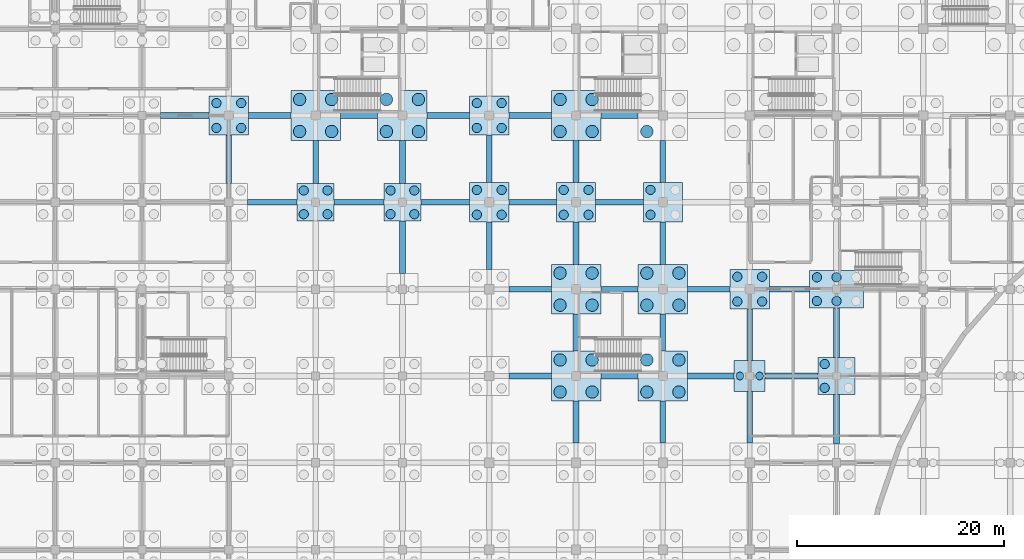
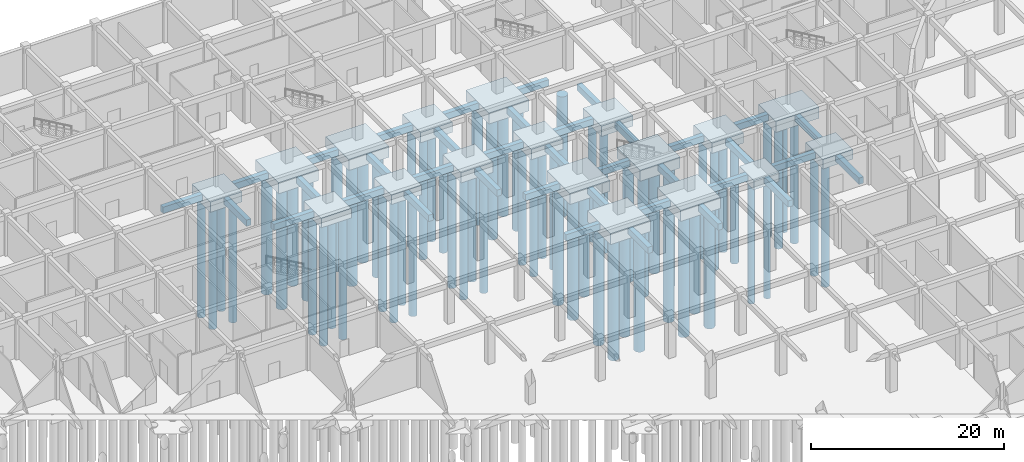
# One storey, part 10 of 65: 67 piles, 55 footings.
"""IFC4 building model written with IfcOpenShell, lengths in metres."""

from ifc_helpers import new_model, si_unit, direction, frame, origin, origin_2d, place, context, subcontext, project, spatial, rectangle, circle, extrude, material, material_profile, profile_set, type_object, element, save


model = new_model("IFC4")

# Units and contexts
model_context = context("Model", 3, precision=1e-05, world=origin(), true_north=direction((0.0, 1.0)))
body_context = subcontext(model_context, "Body", "Model", "MODEL_VIEW")
ifc_project = project(units=[si_unit("LENGTHUNIT", "METRE"), si_unit("AREAUNIT", "SQUARE_METRE"), si_unit("VOLUMEUNIT", "CUBIC_METRE"), si_unit("PLANEANGLEUNIT", "RADIAN"), si_unit("MASSUNIT", "GRAM", prefix="KILO")], contexts=[model_context])

# Site, building, storey
site_placement = place(None, origin())
site = spatial("IfcSite", under=ifc_project, at=site_placement, CompositionType="ELEMENT")
building_placement = place(site_placement, origin())
building = spatial("IfcBuilding", under=site, at=building_placement, Name="Bramfleet General Hospital", CompositionType="ELEMENT")
storey_placement = place(building_placement, frame((0.0, 0.0, -5.39990234375)))
storey = spatial("IfcBuildingStorey", under=building, at=storey_placement, Name="B1", CompositionType="ELEMENT", Elevation=-5.39990234375)

# Footings
ifc_material = material(Name="Concrete C35/45", Category="concrete")
ifc_material_profile_1 = material_profile(ifc_material, rectangle(XDim=0.550048828125, YDim=0.800048828125, at=origin_2d()), Name="RC FB 800x550")
ifc_profile_set_1 = profile_set([ifc_material_profile_1], Name="Concrete C35/45")
footing_type_1 = type_object("IfcFootingType", Name="FTG-FB-01", PredefinedType="FOOTING_BEAM", material=ifc_profile_set_1)
footing_1_placement = place(storey_placement, frame((60.60009765625, 92.39990234375, -0.900146484375), z_axis=(1.0, 0.0, 0.0), x_axis=(0.0, 1.0, 0.0)))
element("IfcFooting", 1, at=footing_1_placement, inside=storey, type_object=footing_type_1, Name="Foundation Tie Beam X 07-11", PredefinedType="FOOTING_BEAM", context=body_context, shape_type="SweptSolid", body=[
    extrude(rectangle(XDim=0.550048828125, YDim=0.800048828125, at=origin_2d()), origin(), (0.0, 0.0, 1.0), 4.699951171875),
])
footing_2_placement = place(storey_placement, frame((69.0, 84.0, -0.900146484375), z_axis=(1.0, 0.0, 0.0), x_axis=(0.0, 1.0, 0.0)))
element("IfcFooting", 2, at=footing_2_placement, inside=storey, type_object=footing_type_1, Name="Foundation Tie Beam X 08-10", PredefinedType="FOOTING_BEAM", context=body_context, shape_type="SweptSolid", body=[
    extrude(rectangle(XDim=0.550048828125, YDim=0.800048828125, at=origin_2d()), origin(), (0.0, 0.0, 1.0), 4.800048828125),
])
footing_3_placement = place(storey_placement, frame((67.199951171875, 85.800048828125, -0.900146484375), z_axis=(0.0, 1.0, 0.0), x_axis=(-1.0, 0.0, 0.0)))
element("IfcFooting", 3, at=footing_3_placement, inside=storey, type_object=footing_type_1, Name="Foundation Tie Beam Y 08-10", PredefinedType="FOOTING_BEAM", context=body_context, shape_type="SweptSolid", body=[
    extrude(rectangle(XDim=0.550048828125, YDim=0.800048828125, at=origin_2d()), origin(), (0.0, 0.0, 1.0), 4.699951171875),
])
footing_4_placement = place(storey_placement, frame((69.10009765625, 92.39990234375, -0.900146484375), z_axis=(1.0, 0.0, 0.0), x_axis=(0.0, 1.0, 0.0)))
element("IfcFooting", 4, at=footing_4_placement, inside=storey, type_object=footing_type_1, Name="Foundation Tie Beam X 08-11", PredefinedType="FOOTING_BEAM", context=body_context, shape_type="SweptSolid", body=[
    extrude(rectangle(XDim=0.550048828125, YDim=0.800048828125, at=origin_2d()), origin(), (0.0, 0.0, 1.0), 4.099853515625),
])
footing_5_placement = place(storey_placement, frame((77.39990234375, 84.0, -0.900146484375), z_axis=(1.0, 0.0, 0.0), x_axis=(0.0, 1.0, 0.0)))
element("IfcFooting", 5, at=footing_5_placement, inside=storey, type_object=footing_type_1, Name="Foundation Tie Beam X 09-10", PredefinedType="FOOTING_BEAM", context=body_context, shape_type="SweptSolid", body=[
    extrude(rectangle(XDim=0.550048828125, YDim=0.800048828125, at=origin_2d()), origin(), (0.0, 0.0, 1.0), 4.800048828125),
])
footing_6_placement = place(storey_placement, frame((75.60009765625, 85.800048828125, -0.900146484375), z_axis=(0.0, 1.0, 0.0), x_axis=(-1.0, 0.0, 0.0)))
element("IfcFooting", 6, at=footing_6_placement, inside=storey, type_object=footing_type_1, Name="Foundation Tie Beam Y 09-10", PredefinedType="FOOTING_BEAM", context=body_context, shape_type="SweptSolid", body=[
    extrude(rectangle(XDim=0.550048828125, YDim=0.800048828125, at=origin_2d()), origin(), (0.0, 0.0, 1.0), 4.199951171875),
])
footing_7_placement = place(storey_placement, frame((78.0, 92.39990234375, -0.900146484375), z_axis=(1.0, 0.0, 0.0), x_axis=(0.0, 1.0, 0.0)))
element("IfcFooting", 7, at=footing_7_placement, inside=storey, type_object=footing_type_1, Name="Foundation Tie Beam X 09-11", PredefinedType="FOOTING_BEAM", context=body_context, shape_type="SweptSolid", body=[
    extrude(rectangle(XDim=0.550048828125, YDim=0.800048828125, at=origin_2d()), origin(), (0.0, 0.0, 1.0), 3.60009765625),
])
footing_8_placement = place(storey_placement, frame((84.0, 77.10009765625, -0.900146484375), z_axis=(0.0, 1.0, 0.0), x_axis=(-1.0, 0.0, 0.0)))
element("IfcFooting", 8, at=footing_8_placement, inside=storey, type_object=footing_type_1, Name="Foundation Tie Beam Y 10-09", PredefinedType="FOOTING_BEAM", context=body_context, shape_type="SweptSolid", body=[
    extrude(rectangle(XDim=0.550048828125, YDim=0.800048828125, at=origin_2d()), origin(), (0.0, 0.0, 1.0), 5.099853515625),
])
footing_9_placement = place(storey_placement, frame((85.800048828125, 84.0, -0.900146484375), z_axis=(1.0, 0.0, 0.0), x_axis=(0.0, 1.0, 0.0)))
element("IfcFooting", 9, at=footing_9_placement, inside=storey, type_object=footing_type_1, Name="Foundation Tie Beam X 10-10", PredefinedType="FOOTING_BEAM", context=body_context, shape_type="SweptSolid", body=[
    extrude(rectangle(XDim=0.550048828125, YDim=0.800048828125, at=origin_2d()), origin(), (0.0, 0.0, 1.0), 4.699951171875),
])
footing_10_placement = place(storey_placement, frame((84.0, 85.800048828125, -0.900146484375), z_axis=(0.0, 1.0, 0.0), x_axis=(-1.0, 0.0, 0.0)))
element("IfcFooting", 10, at=footing_10_placement, inside=storey, type_object=footing_type_1, Name="Foundation Tie Beam Y 10-10", PredefinedType="FOOTING_BEAM", context=body_context, shape_type="SweptSolid", body=[
    extrude(rectangle(XDim=0.550048828125, YDim=0.800048828125, at=origin_2d()), origin(), (0.0, 0.0, 1.0), 4.199951171875),
])
footing_11_placement = place(storey_placement, frame((86.39990234375, 92.39990234375, -0.900146484375), z_axis=(1.0, 0.0, 0.0), x_axis=(0.0, 1.0, 0.0)))
element("IfcFooting", 11, at=footing_11_placement, inside=storey, type_object=footing_type_1, Name="Foundation Tie Beam X 10-11", PredefinedType="FOOTING_BEAM", context=body_context, shape_type="SweptSolid", body=[
    extrude(rectangle(XDim=0.550048828125, YDim=0.800048828125, at=origin_2d()), origin(), (0.0, 0.0, 1.0), 4.10009765625),
])
for number, where, z_axis, x_axis, name in (
    (12, (94.300048828125, 67.199951171875, -0.900146484375), (1.0, 0.0, 0.0), (0.0, 1.0, 0.0), "Foundation Tie Beam X 11-08"),
    (13, (94.300048828125, 75.60009765625, -0.900146484375), (1.0, 0.0, 0.0), (0.0, 1.0, 0.0), "Foundation Tie Beam X 11-09"),
):
    element("IfcFooting", number, at=place(storey_placement, frame(where, z_axis=z_axis, x_axis=x_axis)), inside=storey, type_object=footing_type_1, Name=name, PredefinedType="FOOTING_BEAM", context=body_context, shape_type="SweptSolid", body=[
        extrude(rectangle(XDim=0.550048828125, YDim=0.800048828125, at=origin_2d()), origin(), (0.0, 0.0, 1.0), 4.099853515625),
    ])
footing_12_placement = place(storey_placement, frame((92.39990234375, 77.5, -0.900146484375), z_axis=(0.0, 1.0, 0.0), x_axis=(-1.0, 0.0, 0.0)))
element("IfcFooting", 14, at=footing_12_placement, inside=storey, type_object=footing_type_1, Name="Foundation Tie Beam Y 11-09", PredefinedType="FOOTING_BEAM", context=body_context, shape_type="SweptSolid", body=[
    extrude(rectangle(XDim=0.550048828125, YDim=0.800048828125, at=origin_2d()), origin(), (0.0, 0.0, 1.0), 4.60009765625),
])
footing_13_placement = place(storey_placement, frame((94.300048828125, 84.0, -0.900146484375), z_axis=(1.0, 0.0, 0.0), x_axis=(0.0, 1.0, 0.0)))
element("IfcFooting", 15, at=footing_13_placement, inside=storey, type_object=footing_type_1, Name="Foundation Tie Beam X 11-10", PredefinedType="FOOTING_BEAM", context=body_context, shape_type="SweptSolid", body=[
    extrude(rectangle(XDim=0.550048828125, YDim=0.800048828125, at=origin_2d()), origin(), (0.0, 0.0, 1.0), 4.599853515625),
])
footing_14_placement = place(storey_placement, frame((92.39990234375, 85.89990234375, -0.900146484375), z_axis=(0.0, 1.0, 0.0), x_axis=(-1.0, 0.0, 0.0)))
element("IfcFooting", 16, at=footing_14_placement, inside=storey, type_object=footing_type_1, Name="Foundation Tie Beam Y 11-10", PredefinedType="FOOTING_BEAM", context=body_context, shape_type="SweptSolid", body=[
    extrude(rectangle(XDim=0.550048828125, YDim=0.800048828125, at=origin_2d()), origin(), (0.0, 0.0, 1.0), 4.60009765625),
])
footing_15_placement = place(storey_placement, frame((94.300048828125, 92.39990234375, -0.900146484375), z_axis=(1.0, 0.0, 0.0), x_axis=(0.0, 1.0, 0.0)))
element("IfcFooting", 17, at=footing_15_placement, inside=storey, type_object=footing_type_1, Name="Foundation Tie Beam X 11-11", PredefinedType="FOOTING_BEAM", context=body_context, shape_type="SweptSolid", body=[
    extrude(rectangle(XDim=0.550048828125, YDim=0.800048828125, at=origin_2d()), origin(), (0.0, 0.0, 1.0), 4.099853515625),
])
footing_16_placement = place(storey_placement, frame((100.800048828125, 60.699951171875, -0.900146484375), z_axis=(0.0, 1.0, 0.0), x_axis=(-1.0, 0.0, 0.0)))
element("IfcFooting", 18, at=footing_16_placement, inside=storey, type_object=footing_type_1, Name="Foundation Tie Beam Y 12-07", PredefinedType="FOOTING_BEAM", context=body_context, shape_type="SweptSolid", body=[
    extrude(rectangle(XDim=0.550048828125, YDim=0.800048828125, at=origin_2d()), origin(), (0.0, 0.0, 1.0), 4.10009765625),
])
footing_17_placement = place(storey_placement, frame((103.199951171875, 67.199951171875, -0.900146484375), z_axis=(1.0, 0.0, 0.0), x_axis=(0.0, 1.0, 0.0)))
element("IfcFooting", 19, at=footing_17_placement, inside=storey, type_object=footing_type_1, Name="Foundation Tie Beam X 12-08", PredefinedType="FOOTING_BEAM", context=body_context, shape_type="SweptSolid", body=[
    extrude(rectangle(XDim=0.550048828125, YDim=0.800048828125, at=origin_2d()), origin(), (0.0, 0.0, 1.0), 3.60009765625),
])
footing_18_placement = place(storey_placement, frame((100.800048828125, 69.60009765625, -0.900146484375), z_axis=(0.0, 1.0, 0.0), x_axis=(-1.0, 0.0, 0.0)))
element("IfcFooting", 20, at=footing_18_placement, inside=storey, type_object=footing_type_1, Name="Foundation Tie Beam Y 12-08", PredefinedType="FOOTING_BEAM", context=body_context, shape_type="SweptSolid", body=[
    extrude(rectangle(XDim=0.550048828125, YDim=0.800048828125, at=origin_2d()), origin(), (0.0, 0.0, 1.0), 3.599853515625),
])
footing_19_placement = place(storey_placement, frame((103.199951171875, 75.60009765625, -0.900146484375), z_axis=(1.0, 0.0, 0.0), x_axis=(0.0, 1.0, 0.0)))
element("IfcFooting", 21, at=footing_19_placement, inside=storey, type_object=footing_type_1, Name="Foundation Tie Beam X 12-09", PredefinedType="FOOTING_BEAM", context=body_context, shape_type="SweptSolid", body=[
    extrude(rectangle(XDim=0.550048828125, YDim=0.800048828125, at=origin_2d()), origin(), (0.0, 0.0, 1.0), 3.60009765625),
])
footing_20_placement = place(storey_placement, frame((100.800048828125, 78.0, -0.900146484375), z_axis=(0.0, 1.0, 0.0), x_axis=(-1.0, 0.0, 0.0)))
element("IfcFooting", 22, at=footing_20_placement, inside=storey, type_object=footing_type_1, Name="Foundation Tie Beam Y 12-09", PredefinedType="FOOTING_BEAM", context=body_context, shape_type="SweptSolid", body=[
    extrude(rectangle(XDim=0.550048828125, YDim=0.800048828125, at=origin_2d()), origin(), (0.0, 0.0, 1.0), 4.10009765625),
])
footing_21_placement = place(storey_placement, frame((102.699951171875, 84.0, -0.900146484375), z_axis=(1.0, 0.0, 0.0), x_axis=(0.0, 1.0, 0.0)))
element("IfcFooting", 23, at=footing_21_placement, inside=storey, type_object=footing_type_1, Name="Foundation Tie Beam X 12-10", PredefinedType="FOOTING_BEAM", context=body_context, shape_type="SweptSolid", body=[
    extrude(rectangle(XDim=0.550048828125, YDim=0.800048828125, at=origin_2d()), origin(), (0.0, 0.0, 1.0), 4.60009765625),
])
footing_22_placement = place(storey_placement, frame((100.800048828125, 85.89990234375, -0.900146484375), z_axis=(0.0, 1.0, 0.0), x_axis=(-1.0, 0.0, 0.0)))
element("IfcFooting", 24, at=footing_22_placement, inside=storey, type_object=footing_type_1, Name="Foundation Tie Beam Y 12-10", PredefinedType="FOOTING_BEAM", context=body_context, shape_type="SweptSolid", body=[
    extrude(rectangle(XDim=0.550048828125, YDim=0.800048828125, at=origin_2d()), origin(), (0.0, 0.0, 1.0), 4.10009765625),
])
footing_23_placement = place(storey_placement, frame((103.199951171875, 92.39990234375, -0.900146484375), z_axis=(1.0, 0.0, 0.0), x_axis=(0.0, 1.0, 0.0)))
element("IfcFooting", 25, at=footing_23_placement, inside=storey, type_object=footing_type_1, Name="Foundation Tie Beam X 12-11", PredefinedType="FOOTING_BEAM", context=body_context, shape_type="SweptSolid", body=[
    extrude(rectangle(XDim=0.550048828125, YDim=0.800048828125, at=origin_2d()), origin(), (0.0, 0.0, 1.0), 3.60009765625),
])
footing_24_placement = place(storey_placement, frame((109.199951171875, 60.699951171875, -0.900146484375), z_axis=(0.0, 1.0, 0.0), x_axis=(-1.0, 0.0, 0.0)))
element("IfcFooting", 26, at=footing_24_placement, inside=storey, type_object=footing_type_1, Name="Foundation Tie Beam Y 13-07", PredefinedType="FOOTING_BEAM", context=body_context, shape_type="SweptSolid", body=[
    extrude(rectangle(XDim=0.550048828125, YDim=0.800048828125, at=origin_2d()), origin(), (0.0, 0.0, 1.0), 4.10009765625),
])
footing_25_placement = place(storey_placement, frame((111.60009765625, 67.199951171875, -0.900146484375), z_axis=(1.0, 0.0, 0.0), x_axis=(0.0, 1.0, 0.0)))
element("IfcFooting", 27, at=footing_25_placement, inside=storey, type_object=footing_type_1, Name="Foundation Tie Beam X 13-08", PredefinedType="FOOTING_BEAM", context=body_context, shape_type="SweptSolid", body=[
    extrude(rectangle(XDim=0.550048828125, YDim=0.800048828125, at=origin_2d()), origin(), (0.0, 0.0, 1.0), 4.5),
])
footing_26_placement = place(storey_placement, frame((109.199951171875, 69.60009765625, -0.900146484375), z_axis=(0.0, 1.0, 0.0), x_axis=(-1.0, 0.0, 0.0)))
element("IfcFooting", 28, at=footing_26_placement, inside=storey, type_object=footing_type_1, Name="Foundation Tie Beam Y 13-08", PredefinedType="FOOTING_BEAM", context=body_context, shape_type="SweptSolid", body=[
    extrude(rectangle(XDim=0.550048828125, YDim=0.800048828125, at=origin_2d()), origin(), (0.0, 0.0, 1.0), 3.599853515625),
])
footing_27_placement = place(storey_placement, frame((111.60009765625, 75.60009765625, -0.900146484375), z_axis=(1.0, 0.0, 0.0), x_axis=(0.0, 1.0, 0.0)))
element("IfcFooting", 29, at=footing_27_placement, inside=storey, type_object=footing_type_1, Name="Foundation Tie Beam X 13-09", PredefinedType="FOOTING_BEAM", context=body_context, shape_type="SweptSolid", body=[
    extrude(rectangle(XDim=0.550048828125, YDim=0.800048828125, at=origin_2d()), origin(), (0.0, 0.0, 1.0), 4.099853515625),
])
for number, where, z_axis, x_axis, name in (
    (30, (109.199951171875, 78.0, -0.900146484375), (0.0, 1.0, 0.0), (-1.0, 0.0, 0.0), "Foundation Tie Beam Y 13-09"),
    (31, (109.199951171875, 85.89990234375, -0.900146484375), (0.0, 1.0, 0.0), (-1.0, 0.0, 0.0), "Foundation Tie Beam Y 13-10"),
):
    element("IfcFooting", number, at=place(storey_placement, frame(where, z_axis=z_axis, x_axis=x_axis)), inside=storey, type_object=footing_type_1, Name=name, PredefinedType="FOOTING_BEAM", context=body_context, shape_type="SweptSolid", body=[
        extrude(rectangle(XDim=0.550048828125, YDim=0.800048828125, at=origin_2d()), origin(), (0.0, 0.0, 1.0), 4.10009765625),
    ])
footing_28_placement = place(storey_placement, frame((117.60009765625, 60.699951171875, -0.900146484375), z_axis=(0.0, 1.0, 0.0), x_axis=(-1.0, 0.0, 0.0)))
element("IfcFooting", 32, at=footing_28_placement, inside=storey, type_object=footing_type_1, Name="Foundation Tie Beam Y 14-07", PredefinedType="FOOTING_BEAM", context=body_context, shape_type="SweptSolid", body=[
    extrude(rectangle(XDim=0.550048828125, YDim=0.800048828125, at=origin_2d()), origin(), (0.0, 0.0, 1.0), 5.0),
])
footing_29_placement = place(storey_placement, frame((119.10009765625, 67.199951171875, -0.900146484375), z_axis=(1.0, 0.0, 0.0), x_axis=(0.0, 1.0, 0.0)))
element("IfcFooting", 33, at=footing_29_placement, inside=storey, type_object=footing_type_1, Name="Foundation Tie Beam X 14-08", PredefinedType="FOOTING_BEAM", context=body_context, shape_type="SweptSolid", body=[
    extrude(rectangle(XDim=0.550048828125, YDim=0.800048828125, at=origin_2d()), origin(), (0.0, 0.0, 1.0), 5.099853515625),
])
footing_30_placement = place(storey_placement, frame((117.60009765625, 68.699951171875, -0.900146484375), z_axis=(0.0, 1.0, 0.0), x_axis=(-1.0, 0.0, 0.0)))
element("IfcFooting", 34, at=footing_30_placement, inside=storey, type_object=footing_type_1, Name="Foundation Tie Beam Y 14-08", PredefinedType="FOOTING_BEAM", context=body_context, shape_type="SweptSolid", body=[
    extrude(rectangle(XDim=0.550048828125, YDim=0.800048828125, at=origin_2d()), origin(), (0.0, 0.0, 1.0), 5.0),
])
footing_31_placement = place(storey_placement, frame((119.5, 75.60009765625, -0.900146484375), z_axis=(1.0, 0.0, 0.0), x_axis=(0.0, 1.0, 0.0)))
element("IfcFooting", 35, at=footing_31_placement, inside=storey, type_object=footing_type_1, Name="Foundation Tie Beam X 14-09", PredefinedType="FOOTING_BEAM", context=body_context, shape_type="SweptSolid", body=[
    extrude(rectangle(XDim=0.550048828125, YDim=0.800048828125, at=origin_2d()), origin(), (0.0, 0.0, 1.0), 3.89990234375),
])
footing_32_placement = place(storey_placement, frame((126.0, 60.60009765625, -0.900146484375), z_axis=(0.0, 1.0, 0.0), x_axis=(-1.0, 0.0, 0.0)))
element("IfcFooting", 36, at=footing_32_placement, inside=storey, type_object=footing_type_1, Name="Foundation Tie Beam Y 15-07", PredefinedType="FOOTING_BEAM", context=body_context, shape_type="SweptSolid", body=[
    extrude(rectangle(XDim=0.550048828125, YDim=0.800048828125, at=origin_2d()), origin(), (0.0, 0.0, 1.0), 4.7998046875),
])
footing_33_placement = place(storey_placement, frame((126.0, 69.0, -0.900146484375), z_axis=(0.0, 1.0, 0.0), x_axis=(-1.0, 0.0, 0.0)))
element("IfcFooting", 37, at=footing_33_placement, inside=storey, type_object=footing_type_1, Name="Foundation Tie Beam Y 15-08", PredefinedType="FOOTING_BEAM", context=body_context, shape_type="SweptSolid", body=[
    extrude(rectangle(XDim=0.550048828125, YDim=0.800048828125, at=origin_2d()), origin(), (0.0, 0.0, 1.0), 4.800048828125),
])
footing_type_2 = type_object("IfcFootingType", Name="FTG-PC-01", PredefinedType="PILE_CAP", material=ifc_material)
footing_34_placement = place(storey_placement, frame((117.60009765625, 67.199951171875, -1.7001953125), z_axis=(0.0, 0.0, 1.0), x_axis=(1.0, 0.0, 0.0)))
element("IfcFooting", 38, at=footing_34_placement, inside=storey, type_object=footing_type_2, Name="Pile Cap FTG-B1-14-08", PredefinedType="PILE_CAP", context=body_context, shape_type="SweptSolid", body=[
    extrude(rectangle(XDim=3.0, YDim=3.0, at=origin_2d()), origin(), (0.0, 0.0, 1.0), 1.199951171875),
])
footing_type_3 = type_object("IfcFootingType", Name="FTG-PC-03", PredefinedType="PILE_CAP", material=ifc_material)
for number, where, z_axis, x_axis, name in (
    (39, (75.60009765625, 84.0, -1.7001953125), (0.0, 0.0, 1.0), (1.0, 0.0, 0.0), "Pile Cap FTG-B1-09-10"),
    (40, (84.0, 84.0, -1.7001953125), (0.0, 0.0, 1.0), (1.0, 0.0, 0.0), "Pile Cap FTG-B1-10-10"),
    (41, (126.0, 67.199951171875, -1.7001953125), (0.0, 0.0, 1.0), (1.0, 0.0, 0.0), "Pile Cap FTG-B1-15-08"),
):
    element("IfcFooting", number, at=place(storey_placement, frame(where, z_axis=z_axis, x_axis=x_axis)), inside=storey, type_object=footing_type_3, Name=name, PredefinedType="PILE_CAP", context=body_context, shape_type="SweptSolid", body=[
        extrude(rectangle(XDim=3.60009765625, YDim=3.60009765625, at=origin_2d()), origin(), (0.0, 0.0, 1.0), 1.199951171875),
    ])
footing_type_4 = type_object("IfcFootingType", Name="FTG-PC-04", PredefinedType="PILE_CAP", material=ifc_material)
for number, where, z_axis, x_axis, name in (
    (42, (67.199951171875, 92.39990234375, -1.80029296875), (0.0, 0.0, 1.0), (1.0, 0.0, 0.0), "Pile Cap FTG-B1-08-11"),
    (43, (92.39990234375, 84.0, -1.80029296875), (0.0, 0.0, 1.0), (1.0, 0.0, 0.0), "Pile Cap FTG-B1-11-10"),
    (44, (92.39990234375, 92.39990234375, -1.80029296875), (0.0, 0.0, 1.0), (1.0, 0.0, 0.0), "Pile Cap FTG-B1-11-11"),
    (45, (100.800048828125, 84.0, -1.80029296875), (0.0, 0.0, 1.0), (1.0, 0.0, 0.0), "Pile Cap FTG-B1-12-10"),
    (46, (109.199951171875, 84.0, -1.80029296875), (0.0, 0.0, 1.0), (1.0, 0.0, 0.0), "Pile Cap FTG-B1-13-10"),
    (47, (117.60009765625, 75.60009765625, -1.80029296875), (0.0, 0.0, 1.0), (1.0, 0.0, 0.0), "Pile Cap FTG-B1-14-09"),
):
    element("IfcFooting", number, at=place(storey_placement, frame(where, z_axis=z_axis, x_axis=x_axis)), inside=storey, type_object=footing_type_4, Name=name, PredefinedType="PILE_CAP", context=body_context, shape_type="SweptSolid", body=[
        extrude(rectangle(XDim=3.800048828125, YDim=3.800048828125, at=origin_2d()), origin(), (0.0, 0.0, 1.0), 1.300048828125),
    ])
footing_type_5 = type_object("IfcFootingType", Name="FTG-PC-05", PredefinedType="PILE_CAP", material=ifc_material)
for number, where, z_axis, x_axis, name in (
    (48, (75.60009765625, 92.39990234375, -1.900146484375), (0.0, 0.0, 1.0), (1.0, 0.0, 0.0), "Pile Cap FTG-B1-09-11"),
    (49, (84.0, 92.39990234375, -1.900146484375), (0.0, 0.0, 1.0), (1.0, 0.0, 0.0), "Pile Cap FTG-B1-10-11"),
    (50, (100.800048828125, 67.199951171875, -1.900146484375), (0.0, 0.0, 1.0), (1.0, 0.0, 0.0), "Pile Cap FTG-B1-12-08"),
    (51, (100.800048828125, 75.60009765625, -1.900146484375), (0.0, 0.0, 1.0), (1.0, 0.0, 0.0), "Pile Cap FTG-B1-12-09"),
    (52, (100.800048828125, 92.39990234375, -1.900146484375), (0.0, 0.0, 1.0), (1.0, 0.0, 0.0), "Pile Cap FTG-B1-12-11"),
    (53, (109.199951171875, 67.199951171875, -1.900146484375), (0.0, 0.0, 1.0), (1.0, 0.0, 0.0), "Pile Cap FTG-B1-13-08"),
    (54, (109.199951171875, 75.60009765625, -1.900146484375), (0.0, 0.0, 1.0), (1.0, 0.0, 0.0), "Pile Cap FTG-B1-13-09"),
):
    element("IfcFooting", number, at=place(storey_placement, frame(where, z_axis=z_axis, x_axis=x_axis)), inside=storey, type_object=footing_type_5, Name=name, PredefinedType="PILE_CAP", context=body_context, shape_type="SweptSolid", body=[
        extrude(rectangle(XDim=4.800048828125, YDim=4.800048828125, at=origin_2d()), origin(), (0.0, 0.0, 1.0), 1.39990234375),
    ])
footing_type_6 = type_object("IfcFootingType", Name="FTG-PC-06", PredefinedType="PILE_CAP", material=ifc_material)
footing_35_placement = place(storey_placement, frame((126.0, 75.60009765625, -1.900146484375), z_axis=(0.0, 0.0, 1.0), x_axis=(1.0, 0.0, 0.0)))
element("IfcFooting", 55, at=footing_35_placement, inside=storey, type_object=footing_type_6, Name="Pile Cap FTG-B1-15-09", PredefinedType="PILE_CAP", context=body_context, shape_type="SweptSolid", body=[
    extrude(rectangle(XDim=5.199951171875, YDim=3.60009765625, at=origin_2d()), origin(), (0.0, 0.0, 1.0), 1.39990234375),
])

# Piles
ifc_material_profile_2 = material_profile(ifc_material, circle(Radius=0.60009765625, at=origin_2d()), Name="PILE BORED D1200")
ifc_profile_set_2 = profile_set([ifc_material_profile_2], Name="Concrete C35/45")
pile_type_1 = type_object("IfcPileType", Name="PILE-D1200", PredefinedType="BORED", material=ifc_profile_set_2)
for number, where, z_axis, x_axis, name in (
    (56, (74.050048828125, 90.85009765625, -1.800048828125), (0.0, 0.0, -1.0), (1.0, 0.0, 0.0), "Bored Pile PILE-B1-09-11-1"),
    (57, (77.14990234375, 90.85009765625, -1.800048828125), (0.0, 0.0, -1.0), (1.0, 0.0, 0.0), "Bored Pile PILE-B1-09-11-2"),
    (58, (74.050048828125, 93.949951171875, -1.800048828125), (0.0, 0.0, -1.0), (1.0, 0.0, 0.0), "Bored Pile PILE-B1-09-11-3"),
    (59, (77.14990234375, 93.949951171875, -1.800048828125), (0.0, 0.0, -1.0), (1.0, 0.0, 0.0), "Bored Pile PILE-B1-09-11-4"),
    (60, (82.449951171875, 90.85009765625, -1.800048828125), (0.0, 0.0, -1.0), (1.0, 0.0, 0.0), "Bored Pile PILE-B1-10-11-1"),
    (61, (85.550048828125, 90.85009765625, -1.800048828125), (0.0, 0.0, -1.0), (1.0, 0.0, 0.0), "Bored Pile PILE-B1-10-11-2"),
    (62, (82.449951171875, 93.949951171875, -1.800048828125), (0.0, 0.0, -1.0), (1.0, 0.0, 0.0), "Bored Pile PILE-B1-10-11-3"),
    (63, (85.550048828125, 93.949951171875, -1.800048828125), (0.0, 0.0, -1.0), (1.0, 0.0, 0.0), "Bored Pile PILE-B1-10-11-4"),
    (64, (99.25, 65.64990234375, -1.800048828125), (0.0, 0.0, -1.0), (1.0, 0.0, 0.0), "Bored Pile PILE-B1-12-08-1"),
    (65, (102.35009765625, 65.64990234375, -1.800048828125), (0.0, 0.0, -1.0), (1.0, 0.0, 0.0), "Bored Pile PILE-B1-12-08-2"),
    (66, (99.25, 68.75, -1.800048828125), (0.0, 0.0, -1.0), (1.0, 0.0, 0.0), "Bored Pile PILE-B1-12-08-3"),
    (67, (102.35009765625, 68.75, -1.800048828125), (0.0, 0.0, -1.0), (1.0, 0.0, 0.0), "Bored Pile PILE-B1-12-08-4"),
    (68, (99.25, 74.050048828125, -1.800048828125), (0.0, 0.0, -1.0), (1.0, 0.0, 0.0), "Bored Pile PILE-B1-12-09-1"),
    (69, (102.35009765625, 74.050048828125, -1.800048828125), (0.0, 0.0, -1.0), (1.0, 0.0, 0.0), "Bored Pile PILE-B1-12-09-2"),
    (70, (99.25, 77.14990234375, -1.800048828125), (0.0, 0.0, -1.0), (1.0, 0.0, 0.0), "Bored Pile PILE-B1-12-09-3"),
    (71, (102.35009765625, 77.14990234375, -1.800048828125), (0.0, 0.0, -1.0), (1.0, 0.0, 0.0), "Bored Pile PILE-B1-12-09-4"),
    (72, (99.25, 90.85009765625, -1.800048828125), (0.0, 0.0, -1.0), (1.0, 0.0, 0.0), "Bored Pile PILE-B1-12-11-1"),
    (73, (102.35009765625, 90.85009765625, -1.800048828125), (0.0, 0.0, -1.0), (1.0, 0.0, 0.0), "Bored Pile PILE-B1-12-11-2"),
    (74, (99.25, 93.949951171875, -1.800048828125), (0.0, 0.0, -1.0), (1.0, 0.0, 0.0), "Bored Pile PILE-B1-12-11-3"),
    (75, (102.35009765625, 93.949951171875, -1.800048828125), (0.0, 0.0, -1.0), (1.0, 0.0, 0.0), "Bored Pile PILE-B1-12-11-4"),
    (76, (107.64990234375, 65.64990234375, -1.800048828125), (0.0, 0.0, -1.0), (1.0, 0.0, 0.0), "Bored Pile PILE-B1-13-08-1"),
    (77, (110.75, 65.64990234375, -1.800048828125), (0.0, 0.0, -1.0), (1.0, 0.0, 0.0), "Bored Pile PILE-B1-13-08-2"),
    (78, (107.64990234375, 68.75, -1.800048828125), (0.0, 0.0, -1.0), (1.0, 0.0, 0.0), "Bored Pile PILE-B1-13-08-3"),
    (79, (110.75, 68.75, -1.800048828125), (0.0, 0.0, -1.0), (1.0, 0.0, 0.0), "Bored Pile PILE-B1-13-08-4"),
    (80, (107.64990234375, 74.050048828125, -1.800048828125), (0.0, 0.0, -1.0), (1.0, 0.0, 0.0), "Bored Pile PILE-B1-13-09-1"),
    (81, (110.75, 74.050048828125, -1.800048828125), (0.0, 0.0, -1.0), (1.0, 0.0, 0.0), "Bored Pile PILE-B1-13-09-2"),
    (82, (107.64990234375, 77.14990234375, -1.800048828125), (0.0, 0.0, -1.0), (1.0, 0.0, 0.0), "Bored Pile PILE-B1-13-09-3"),
    (83, (110.75, 77.14990234375, -1.800048828125), (0.0, 0.0, -1.0), (1.0, 0.0, 0.0), "Bored Pile PILE-B1-13-09-4"),
    (84, (107.64990234375, 90.85009765625, -1.800048828125), (0.0, 0.0, -1.0), (1.0, 0.0, 0.0), "Bored Pile PILE-B1-13-11-1"),
):
    element("IfcPile", number, at=place(storey_placement, frame(where, z_axis=z_axis, x_axis=x_axis)), inside=storey, type_object=pile_type_1, Name=name, PredefinedType="BORED", context=body_context, shape_type="SweptSolid", body=[
        extrude(circle(Radius=0.60009765625, at=origin_2d()), origin(), (0.0, 0.0, 1.0), 15.199951171875),
    ])
ifc_material_profile_3 = material_profile(ifc_material, circle(Radius=0.375, at=origin_2d()), Name="PILE BORED D750")
ifc_profile_set_3 = profile_set([ifc_material_profile_3], Name="Concrete C35/45")
pile_type_2 = type_object("IfcPileType", Name="PILE-D750", PredefinedType="BORED", material=ifc_profile_set_3)
for number, where, z_axis, x_axis, name in (
    (85, (116.64990234375, 67.199951171875, -1.60009765625), (0.0, 0.0, -1.0), (1.0, 0.0, 0.0), "Bored Pile PILE-B1-14-08-1"),
    (86, (118.550048828125, 67.199951171875, -1.60009765625), (0.0, 0.0, -1.0), (1.0, 0.0, 0.0), "Bored Pile PILE-B1-14-08-2"),
):
    element("IfcPile", number, at=place(storey_placement, frame(where, z_axis=z_axis, x_axis=x_axis)), inside=storey, type_object=pile_type_2, Name=name, PredefinedType="BORED", context=body_context, shape_type="SweptSolid", body=[
        extrude(circle(Radius=0.375, at=origin_2d()), origin(), (0.0, 0.0, 1.0), 15.39990234375),
    ])
ifc_material_profile_4 = material_profile(ifc_material, circle(Radius=0.449951171875, at=origin_2d()), Name="PILE BORED D900")
ifc_profile_set_4 = profile_set([ifc_material_profile_4], Name="Concrete C35/45")
pile_type_3 = type_object("IfcPileType", Name="PILE-D900", PredefinedType="BORED", material=ifc_profile_set_4)
for number, where, z_axis, x_axis, name in (
    (87, (66.0, 91.199951171875, -1.7001953125), (0.0, 0.0, -1.0), (1.0, 0.0, 0.0), "Bored Pile PILE-B1-08-11-1"),
    (88, (68.39990234375, 91.199951171875, -1.7001953125), (0.0, 0.0, -1.0), (1.0, 0.0, 0.0), "Bored Pile PILE-B1-08-11-2"),
    (89, (66.0, 93.60009765625, -1.7001953125), (0.0, 0.0, -1.0), (1.0, 0.0, 0.0), "Bored Pile PILE-B1-08-11-3"),
    (90, (68.39990234375, 93.60009765625, -1.7001953125), (0.0, 0.0, -1.0), (1.0, 0.0, 0.0), "Bored Pile PILE-B1-08-11-4"),
):
    element("IfcPile", number, at=place(storey_placement, frame(where, z_axis=z_axis, x_axis=x_axis)), inside=storey, type_object=pile_type_3, Name=name, PredefinedType="BORED", context=body_context, shape_type="SweptSolid", body=[
        extrude(circle(Radius=0.449951171875, at=origin_2d()), origin(), (0.0, 0.0, 1.0), 15.300048828125),
    ])
for number, where, z_axis, x_axis, name in (
    (91, (74.449951171875, 82.85009765625, -1.60009765625), (0.0, 0.0, -1.0), (1.0, 0.0, 0.0), "Bored Pile PILE-B1-09-10-1"),
    (92, (76.75, 82.85009765625, -1.60009765625), (0.0, 0.0, -1.0), (1.0, 0.0, 0.0), "Bored Pile PILE-B1-09-10-2"),
    (93, (74.449951171875, 85.14990234375, -1.60009765625), (0.0, 0.0, -1.0), (1.0, 0.0, 0.0), "Bored Pile PILE-B1-09-10-3"),
    (94, (76.75, 85.14990234375, -1.60009765625), (0.0, 0.0, -1.0), (1.0, 0.0, 0.0), "Bored Pile PILE-B1-09-10-4"),
    (95, (82.85009765625, 82.85009765625, -1.60009765625), (0.0, 0.0, -1.0), (1.0, 0.0, 0.0), "Bored Pile PILE-B1-10-10-1"),
    (96, (85.14990234375, 82.85009765625, -1.60009765625), (0.0, 0.0, -1.0), (1.0, 0.0, 0.0), "Bored Pile PILE-B1-10-10-2"),
    (97, (82.85009765625, 85.14990234375, -1.60009765625), (0.0, 0.0, -1.0), (1.0, 0.0, 0.0), "Bored Pile PILE-B1-10-10-3"),
    (98, (85.14990234375, 85.14990234375, -1.60009765625), (0.0, 0.0, -1.0), (1.0, 0.0, 0.0), "Bored Pile PILE-B1-10-10-4"),
):
    element("IfcPile", number, at=place(storey_placement, frame(where, z_axis=z_axis, x_axis=x_axis)), inside=storey, type_object=pile_type_3, Name=name, PredefinedType="BORED", context=body_context, shape_type="SweptSolid", body=[
        extrude(circle(Radius=0.449951171875, at=origin_2d()), origin(), (0.0, 0.0, 1.0), 15.39990234375),
    ])
for number, where, z_axis, x_axis, name in (
    (99, (91.199951171875, 82.800048828125, -1.7001953125), (0.0, 0.0, -1.0), (1.0, 0.0, 0.0), "Bored Pile PILE-B1-11-10-1"),
    (100, (93.60009765625, 82.800048828125, -1.7001953125), (0.0, 0.0, -1.0), (1.0, 0.0, 0.0), "Bored Pile PILE-B1-11-10-2"),
    (101, (91.199951171875, 85.199951171875, -1.7001953125), (0.0, 0.0, -1.0), (1.0, 0.0, 0.0), "Bored Pile PILE-B1-11-10-3"),
    (102, (93.60009765625, 85.199951171875, -1.7001953125), (0.0, 0.0, -1.0), (1.0, 0.0, 0.0), "Bored Pile PILE-B1-11-10-4"),
    (103, (91.199951171875, 91.199951171875, -1.7001953125), (0.0, 0.0, -1.0), (1.0, 0.0, 0.0), "Bored Pile PILE-B1-11-11-1"),
    (104, (93.60009765625, 91.199951171875, -1.7001953125), (0.0, 0.0, -1.0), (1.0, 0.0, 0.0), "Bored Pile PILE-B1-11-11-2"),
    (105, (91.199951171875, 93.60009765625, -1.7001953125), (0.0, 0.0, -1.0), (1.0, 0.0, 0.0), "Bored Pile PILE-B1-11-11-3"),
    (106, (93.60009765625, 93.60009765625, -1.7001953125), (0.0, 0.0, -1.0), (1.0, 0.0, 0.0), "Bored Pile PILE-B1-11-11-4"),
    (107, (99.60009765625, 82.800048828125, -1.7001953125), (0.0, 0.0, -1.0), (1.0, 0.0, 0.0), "Bored Pile PILE-B1-12-10-1"),
    (108, (102.0, 82.800048828125, -1.7001953125), (0.0, 0.0, -1.0), (1.0, 0.0, 0.0), "Bored Pile PILE-B1-12-10-2"),
    (109, (99.60009765625, 85.199951171875, -1.7001953125), (0.0, 0.0, -1.0), (1.0, 0.0, 0.0), "Bored Pile PILE-B1-12-10-3"),
    (110, (102.0, 85.199951171875, -1.7001953125), (0.0, 0.0, -1.0), (1.0, 0.0, 0.0), "Bored Pile PILE-B1-12-10-4"),
    (111, (108.0, 82.800048828125, -1.7001953125), (0.0, 0.0, -1.0), (1.0, 0.0, 0.0), "Bored Pile PILE-B1-13-10-1"),
    (112, (108.0, 85.199951171875, -1.7001953125), (0.0, 0.0, -1.0), (1.0, 0.0, 0.0), "Bored Pile PILE-B1-13-10-3"),
    (113, (116.39990234375, 74.39990234375, -1.7001953125), (0.0, 0.0, -1.0), (1.0, 0.0, 0.0), "Bored Pile PILE-B1-14-09-1"),
    (114, (118.800048828125, 74.39990234375, -1.7001953125), (0.0, 0.0, -1.0), (1.0, 0.0, 0.0), "Bored Pile PILE-B1-14-09-2"),
    (115, (116.39990234375, 76.800048828125, -1.7001953125), (0.0, 0.0, -1.0), (1.0, 0.0, 0.0), "Bored Pile PILE-B1-14-09-3"),
    (116, (118.800048828125, 76.800048828125, -1.7001953125), (0.0, 0.0, -1.0), (1.0, 0.0, 0.0), "Bored Pile PILE-B1-14-09-4"),
):
    element("IfcPile", number, at=place(storey_placement, frame(where, z_axis=z_axis, x_axis=x_axis)), inside=storey, type_object=pile_type_3, Name=name, PredefinedType="BORED", context=body_context, shape_type="SweptSolid", body=[
        extrude(circle(Radius=0.449951171875, at=origin_2d()), origin(), (0.0, 0.0, 1.0), 15.300048828125),
    ])
for number, where, z_axis, x_axis, name in (
    (117, (124.85009765625, 66.050048828125, -1.60009765625), (0.0, 0.0, -1.0), (1.0, 0.0, 0.0), "Bored Pile PILE-B1-15-08-1"),
    (118, (124.85009765625, 68.35009765625, -1.60009765625), (0.0, 0.0, -1.0), (1.0, 0.0, 0.0), "Bored Pile PILE-B1-15-08-3"),
):
    element("IfcPile", number, at=place(storey_placement, frame(where, z_axis=z_axis, x_axis=x_axis)), inside=storey, type_object=pile_type_3, Name=name, PredefinedType="BORED", context=body_context, shape_type="SweptSolid", body=[
        extrude(circle(Radius=0.449951171875, at=origin_2d()), origin(), (0.0, 0.0, 1.0), 15.39990234375),
    ])
for number, where, z_axis, x_axis, name in (
    (119, (124.10009765625, 74.449951171875, -1.800048828125), (0.0, 0.0, -1.0), (1.0, 0.0, 0.0), "Bored Pile PILE-B1-15-09-1"),
    (120, (126.0, 74.449951171875, -1.800048828125), (0.0, 0.0, -1.0), (1.0, 0.0, 0.0), "Bored Pile PILE-B1-15-09-2"),
    (121, (124.10009765625, 76.75, -1.800048828125), (0.0, 0.0, -1.0), (1.0, 0.0, 0.0), "Bored Pile PILE-B1-15-09-4"),
    (122, (126.0, 76.75, -1.800048828125), (0.0, 0.0, -1.0), (1.0, 0.0, 0.0), "Bored Pile PILE-B1-15-09-5"),
):
    element("IfcPile", number, at=place(storey_placement, frame(where, z_axis=z_axis, x_axis=x_axis)), inside=storey, type_object=pile_type_3, Name=name, PredefinedType="BORED", context=body_context, shape_type="SweptSolid", body=[
        extrude(circle(Radius=0.449951171875, at=origin_2d()), origin(), (0.0, 0.0, 1.0), 15.199951171875),
    ])

save(model, "model.ifc")
